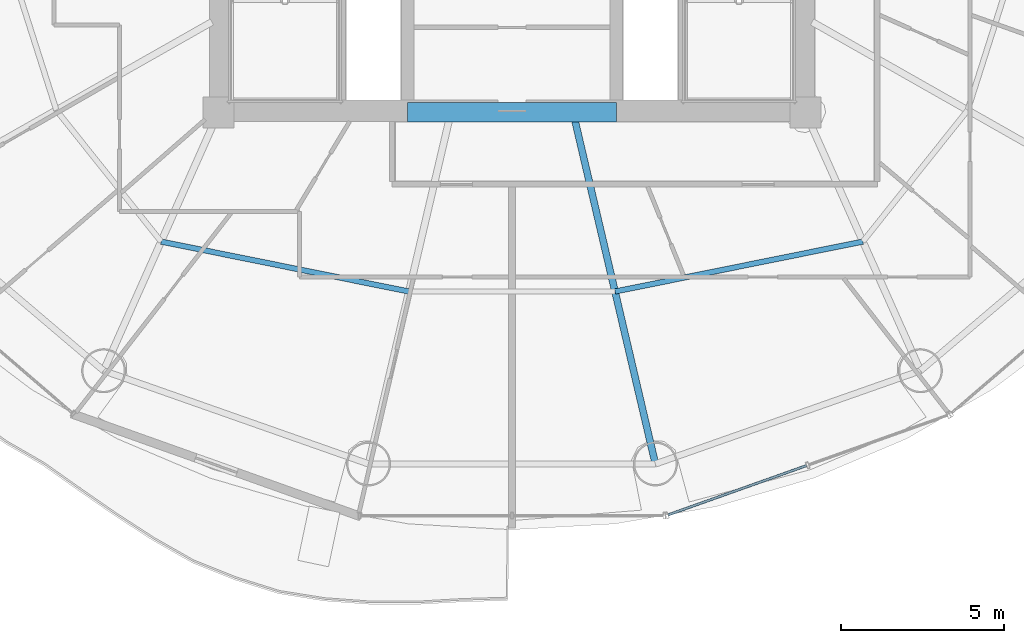
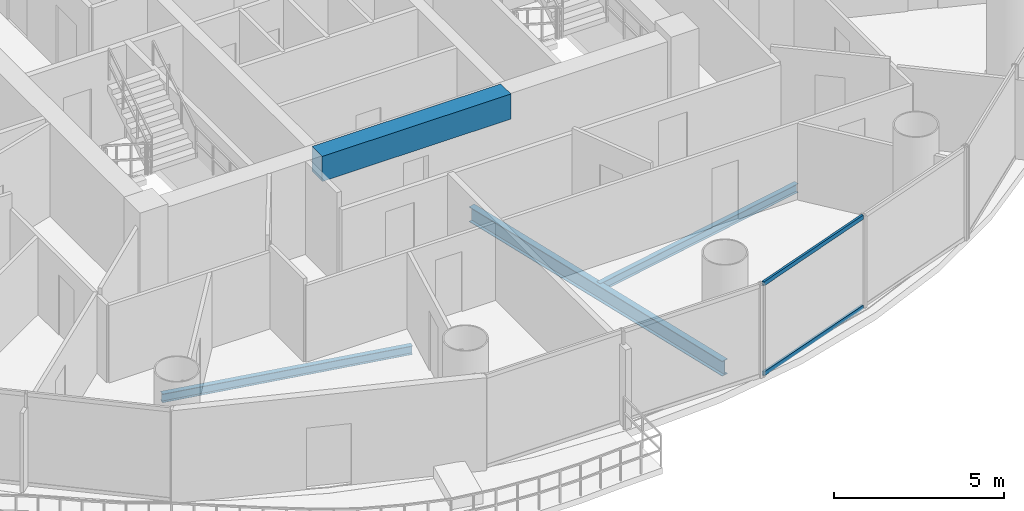
# One storey, part 6 of 27: 4 beams, 2 members, 1 element without a shape of its own.
"""IFC4 building model written with IfcOpenShell, lengths in metres."""

from ifc_helpers import new_model, si_unit, direction, frame, origin, origin_2d, place, context, subcontext, project, spatial, rectangle, hollow_rectangle, i_section, extrude, source, transform, mapped, material, material_profile, profile_set, type_object, element, aggregate, save


model = new_model("IFC4")

# Units and contexts
model_context = context("Model", 3, precision=1e-05, world=origin(), true_north=direction((-0.2419218956, 0.970295726276)))
body_context = subcontext(model_context, "Body", "Model", "MODEL_VIEW")
ifc_project = project(units=[si_unit("LENGTHUNIT", "METRE"), si_unit("AREAUNIT", "SQUARE_METRE"), si_unit("VOLUMEUNIT", "CUBIC_METRE"), si_unit("PLANEANGLEUNIT", "RADIAN"), si_unit("MASSUNIT", "GRAM", prefix="KILO")], contexts=[model_context])

# Site, building, storey
site_placement = place(None, origin())
site = spatial("IfcSite", under=ifc_project, at=site_placement, CompositionType="ELEMENT")
building_placement = place(site_placement, origin())
building = spatial("IfcBuilding", under=site, at=building_placement, Name="Cobrevalo Terracotta Tower", CompositionType="ELEMENT")
storey_placement = place(building_placement, frame((0.0, 0.0, 164.199951171875)))
storey = spatial("IfcBuildingStorey", under=building, at=storey_placement, Name="L43", CompositionType="ELEMENT", Elevation=164.199951171875)

# Beams
ifc_material_1 = material(Name="Concrete C60", Category="concrete")
ifc_material_profile_1 = material_profile(ifc_material_1, rectangle(XDim=0.60009765625, YDim=0.89990234375, at=origin_2d()), Name="RC CB 600x900")
ifc_profile_set_1 = profile_set([ifc_material_profile_1], Name="Concrete C60")
beam_type_1 = type_object("IfcBeamType", Name="Structural Beam RC CB 600x900 (Concrete C60)", PredefinedType="BEAM", material=ifc_profile_set_1)
beam_1_placement = place(storey_placement, frame((34.800048828125, 18.800048828125, 2.880126953125), z_axis=(1.0, 0.0, 0.0), x_axis=(0.0, 1.0, 0.0)))
element("IfcBeam", 1, at=beam_1_placement, inside=storey, type_object=beam_type_1, Name="L43 core coupling beam 1", PredefinedType="BEAM", context=body_context, shape_type="SweptSolid", body=[
    extrude(rectangle(XDim=0.60009765625, YDim=0.89990234375, at=origin_2d()), origin(), (0.0, 0.0, 1.0), 6.39990234375),
])
ifc_material_2 = material(Name="Steel S355", Category="steel")
ifc_material_profile_2 = material_profile(ifc_material_2, i_section(OverallWidth=0.2109375, OverallDepth=0.5390625, WebThickness=0.01171875, FlangeThickness=0.018798828125, at=origin_2d()), Name="W 530x109")
ifc_profile_set_2 = profile_set([ifc_material_profile_2], Name="Steel S355")
beam_type_2 = type_object("IfcBeamType", Name="Structural Beam W 530x109 (Steel S355)", PredefinedType="BEAM", material=ifc_profile_set_2)
beam_2_placement = place(storey_placement, frame((42.399169921875, 8.01806640625, -0.53955078125), z_axis=(-0.228045854186, 0.973650393308, 0.0), x_axis=(-0.973650393308, -0.228045854186, 0.0)))
element("IfcBeam", 2, at=beam_2_placement, inside=storey, type_object=beam_type_2, Name="L43 radial floor girder 13", PredefinedType="BEAM", context=body_context, shape_type="SweptSolid", body=[
    extrude(i_section(OverallWidth=0.2109375, OverallDepth=0.5390625, WebThickness=0.01171875, FlangeThickness=0.018798828125, at=origin_2d()), origin(), (0.0, 0.0, 1.0), 10.863037109375),
])
ifc_material_profile_3 = material_profile(ifc_material_2, i_section(OverallWidth=0.1650390625, OverallDepth=0.31005859375, WebThickness=0.005859375, FlangeThickness=0.009765625, at=origin_2d()), Name="W 310x38.7")
ifc_profile_set_3 = profile_set([ifc_material_profile_3], Name="Steel S355")
beam_type_3 = type_object("IfcBeamType", Name="Structural Joist W 310x38.7 (Steel S355)", PredefinedType="JOIST", material=ifc_profile_set_3)
for number, where, z_axis, x_axis, name in (
    (3, (27.23583984375, 14.838623046875, -0.425048828125), (0.980293928329, -0.197544461026, 0.0), (0.197544461026, 0.980293928329, 0.0), "L43 circumferential secondary floor joist 11"),
    (4, (41.16064453125, 13.306396484375, -0.425048828125), (0.980293928329, 0.197544461026, 0.0), (-0.197544461026, 0.980293928329, 0.0), "L43 circumferential secondary floor joist 13"),
):
    element("IfcBeam", number, at=place(storey_placement, frame(where, z_axis=z_axis, x_axis=x_axis)), inside=storey, type_object=beam_type_3, Name=name, PredefinedType="JOIST", context=body_context, shape_type="SweptSolid", body=[
        extrude(i_section(OverallWidth=0.1650390625, OverallDepth=0.31005859375, WebThickness=0.005859375, FlangeThickness=0.009765625, at=origin_2d()), origin(), (0.0, 0.0, 1.0), 7.75634765625),
    ])

# Curtain wall, members
ifc_material_3 = material(Name="Anodized aluminium", Category="aluminium")
curtain_wall_type = type_object("IfcCurtainWallType", Name="Mid-tower high-wind unitised curtain wall CW-U2", PredefinedType="NOTDEFINED", material=ifc_material_3)
curtain_wall_placement = place(storey_placement, origin())
curtain_wall = element("IfcCurtainWall", 5, at=curtain_wall_placement, inside=storey, type_object=curtain_wall_type, Name="L43 curtain wall CW-L43-S13", PredefinedType="NOTDEFINED")
ifc_material_profile_4 = material_profile(ifc_material_3, hollow_rectangle(XDim=0.074951171875, YDim=0.14990234375, WallThickness=0.00439453125, at=origin_2d()), Name="CWT 75x150")
ifc_profile_set_4 = profile_set([ifc_material_profile_4], Name="Anodized aluminium")
member_type = type_object("IfcMemberType", Name="Tower unitised aluminium transom 75x150", PredefinedType="USERDEFINED", material=ifc_profile_set_4)
shared_shape = source(origin(), body_context, "Body", "SweptSolid", [
    extrude(hollow_rectangle(XDim=0.074951171875, YDim=0.14990234375, WallThickness=0.00439453125, at=origin_2d()), origin(), (0.0, 0.0, 1.0), 4.50390625),
])
member_1_placement = place(storey_placement, frame((42.790771484375, 6.455810546875, 0.050048828125), z_axis=(0.942087248155, 0.335367882873, 0.0), x_axis=(-0.335367882873, 0.942087248155, 0.0)))
member_1 = element("IfcMember", 6, at=member_1_placement, type_object=member_type, Name="CW-L43-S13 transom B01-T1", ObjectType="TRANSOM", PredefinedType="USERDEFINED", context=body_context, shape_type="MappedRepresentation", body=[
    mapped(shared_shape, transform((0.0, 0.0, 0.0), scale=1.0)),
])
member_2_placement = place(storey_placement, frame((42.790771484375, 6.455810546875, 3.280029296875), z_axis=(0.942087248155, 0.335367882873, 0.0), x_axis=(-0.335367882873, 0.942087248155, 0.0)))
member_2 = element("IfcMember", 7, at=member_2_placement, type_object=member_type, Name="CW-L43-S13 transom B01-T2", ObjectType="TRANSOM", PredefinedType="USERDEFINED", context=body_context, shape_type="MappedRepresentation", body=[
    mapped(shared_shape, transform((0.0, 0.0, 0.0), scale=1.0)),
])
aggregate(curtain_wall, [member_1, member_2])

save(model, "model.ifc")
